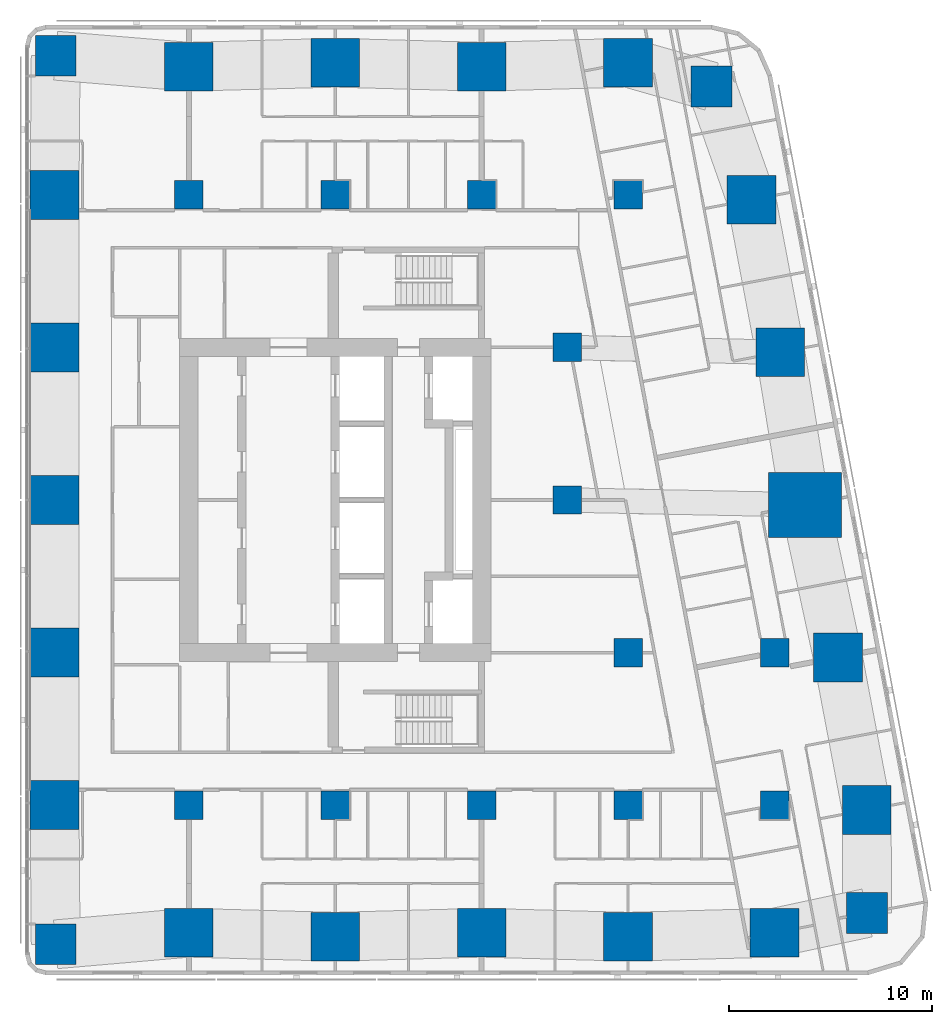
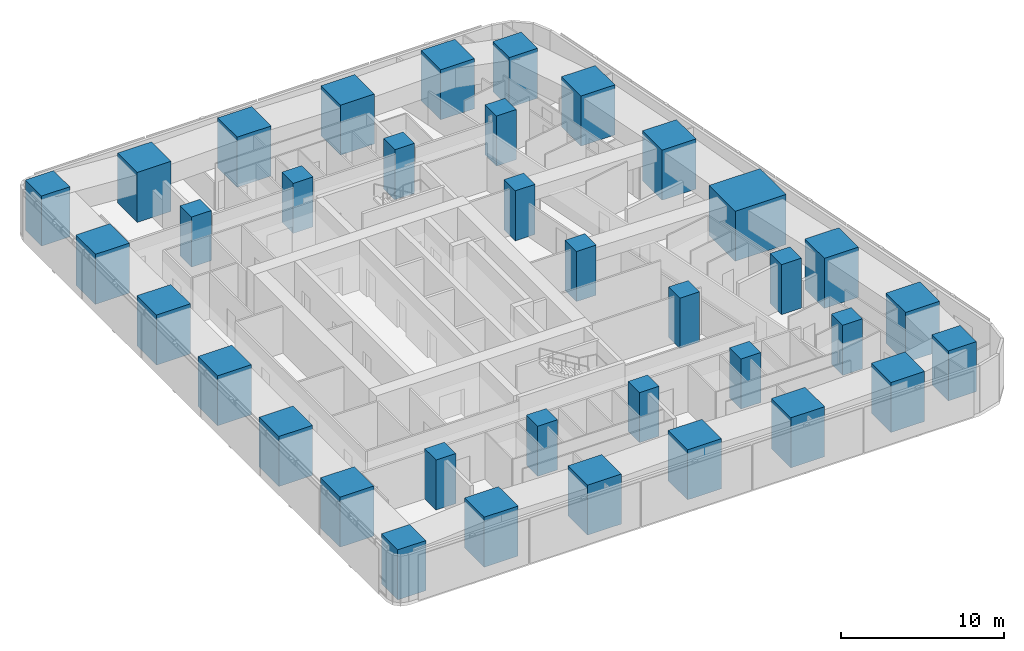
# One storey, part 1 of 19: 36 columns.
"""IFC4 building model written with IfcOpenShell, lengths in metres."""

from ifc_helpers import new_model, si_unit, direction, frame, origin, origin_2d, place, context, subcontext, project, spatial, rectangle, extrude, material, material_profile, profile_set, type_object, element, save


model = new_model("IFC4")

# Units and contexts
model_context = context("Model", 3, precision=1e-05, world=origin(), true_north=direction((0.0, 1.0)))
body_context = subcontext(model_context, "Body", "Model", "MODEL_VIEW")
ifc_project = project(units=[si_unit("LENGTHUNIT", "METRE"), si_unit("AREAUNIT", "SQUARE_METRE"), si_unit("VOLUMEUNIT", "CUBIC_METRE"), si_unit("PLANEANGLEUNIT", "RADIAN"), si_unit("MASSUNIT", "GRAM", prefix="KILO")], contexts=[model_context])

# Site, building, storey
site_placement = place(None, origin())
site = spatial("IfcSite", under=ifc_project, at=site_placement, CompositionType="ELEMENT")
building_placement = place(site_placement, origin())
building = spatial("IfcBuilding", under=site, at=building_placement, Name="Sheger Commons Tower", CompositionType="ELEMENT")
storey_placement = place(building_placement, frame((0.0, 0.0, 201.199951171875)))
storey = spatial("IfcBuildingStorey", under=building, at=storey_placement, Name="L51", CompositionType="ELEMENT", Elevation=201.199951171875)

# Columns
ifc_material_1 = material(Name="Concrete C50/60", Category="concrete")
ifc_material_profile_1 = material_profile(ifc_material_1, rectangle(XDim=3.60009765625, YDim=3.199951171875, at=origin_2d()), Name="RC 3600x3200")
ifc_profile_set_1 = profile_set([ifc_material_profile_1], Name="Concrete C50/60")
column_type_1 = type_object("IfcColumnType", Name="COLUMN PIER RC 3600x3200", PredefinedType="COLUMN", material=ifc_profile_set_1)
column_placement = place(storey_placement, frame((44.697021484375, 22.262939453125, 0.0), z_axis=(0.0, 0.0, 1.0), x_axis=(1.0, 0.0, 0.0)))
element("IfcColumn", 1, at=column_placement, inside=storey, type_object=column_type_1, Name="Pier 7/D+E/D L51", PredefinedType="COLUMN", context=body_context, shape_type="SweptSolid", body=[
    extrude(rectangle(XDim=3.60009765625, YDim=3.199951171875, at=origin_2d()), origin(), (0.0, 0.0, 1.0), 3.75),
])
ifc_material_2 = material(Name="Concrete C50/60", Category="concrete")
ifc_material_profile_2 = material_profile(ifc_material_2, rectangle(XDim=1.39990234375, YDim=1.39990234375, at=origin_2d()), Name="RC 1400x1400")
ifc_profile_set_2 = profile_set([ifc_material_profile_2], Name="Concrete C50/60")
column_type_2 = type_object("IfcColumnType", Name="COLUMN RC 1400x1400", PredefinedType="COLUMN", material=ifc_profile_set_2)
for number, where, z_axis, x_axis, name in (
    (2, (14.39990234375, 7.5, 0.0), (0.0, 0.0, 1.0), (1.0, 0.0, 0.0), "Column 3/B L51"),
    (3, (21.60009765625, 7.5, 0.0), (0.0, 0.0, 1.0), (1.0, 0.0, 0.0), "Column 4/B L51"),
    (4, (28.800048828125, 7.5, 0.0), (0.0, 0.0, 1.0), (1.0, 0.0, 0.0), "Column 5/B L51"),
    (5, (36.0, 7.5, 0.0), (0.0, 0.0, 1.0), (1.0, 0.0, 0.0), "Column 6/B L51"),
    (6, (43.199951171875, 7.5, 0.0), (0.0, 0.0, 1.0), (1.0, 0.0, 0.0), "Column 7/B L51"),
    (7, (36.0, 15.0, 0.0), (0.0, 0.0, 1.0), (1.0, 0.0, 0.0), "Column 6/C L51"),
    (8, (43.199951171875, 15.0, 0.0), (0.0, 0.0, 1.0), (1.0, 0.0, 0.0), "Column 7/C L51"),
    (9, (33.0, 22.5, 0.0), (0.0, 0.0, 1.0), (1.0, 0.0, 0.0), "Column 6-3000/D L51"),
    (10, (33.0, 30.0, 0.0), (0.0, 0.0, 1.0), (1.0, 0.0, 0.0), "Column 6-3000/E L51"),
    (11, (14.39990234375, 37.5, 0.0), (0.0, 0.0, 1.0), (1.0, 0.0, 0.0), "Column 3/F L51"),
    (12, (21.60009765625, 37.5, 0.0), (0.0, 0.0, 1.0), (1.0, 0.0, 0.0), "Column 4/F L51"),
    (13, (28.800048828125, 37.5, 0.0), (0.0, 0.0, 1.0), (1.0, 0.0, 0.0), "Column 5/F L51"),
    (14, (36.0, 37.5, 0.0), (0.0, 0.0, 1.0), (1.0, 0.0, 0.0), "Column 6/F L51"),
):
    element("IfcColumn", number, at=place(storey_placement, frame(where, z_axis=z_axis, x_axis=x_axis)), inside=storey, type_object=column_type_2, Name=name, PredefinedType="COLUMN", context=body_context, shape_type="SweptSolid", body=[
        extrude(rectangle(XDim=1.39990234375, YDim=1.39990234375, at=origin_2d()), origin(), (0.0, 0.0, 1.0), 3.75),
    ])
ifc_material_3 = material(Name="Concrete C50/60", Category="concrete")
ifc_material_profile_3 = material_profile(ifc_material_3, rectangle(XDim=2.0, YDim=2.0, at=origin_2d()), Name="RC 2000x2000")
ifc_profile_set_3 = profile_set([ifc_material_profile_3], Name="Concrete C50/60")
column_type_3 = type_object("IfcColumnType", Name="COLUMN RC 2000x2000", PredefinedType="COLUMN", material=ifc_profile_set_3)
for number, where, z_axis, x_axis, name in (
    (15, (7.85400390625, 0.654052734375, 0.0), (0.0, 0.0, 1.0), (1.0, 0.0, 0.0), "Column 2/A L51"),
    (16, (47.748046875, 2.197021484375, 0.0), (0.0, 0.0, 1.0), (1.0, 0.0, 0.0), "Column 49.461,0.778 L51"),
    (17, (40.10205078125, 42.830078125, 0.0), (0.0, 0.0, 1.0), (1.0, 0.0, 0.0), "Column 41.490,44.505 L51"),
    (18, (7.85400390625, 44.345947265625, 0.0), (0.0, 0.0, 1.0), (1.0, 0.0, 0.0), "Column 2/G L51"),
):
    element("IfcColumn", number, at=place(storey_placement, frame(where, z_axis=z_axis, x_axis=x_axis)), inside=storey, type_object=column_type_3, Name=name, PredefinedType="COLUMN", context=body_context, shape_type="SweptSolid", body=[
        extrude(rectangle(XDim=2.0, YDim=2.0, at=origin_2d()), origin(), (0.0, 0.0, 1.0), 3.75),
    ])
ifc_material_4 = material(Name="Concrete C50/60", Category="concrete")
ifc_material_profile_4 = material_profile(ifc_material_4, rectangle(XDim=2.39990234375, YDim=2.39990234375, at=origin_2d()), Name="RC 2400x2400")
ifc_profile_set_4 = profile_set([ifc_material_profile_4], Name="Concrete C50/60")
column_type_4 = type_object("IfcColumnType", Name="COLUMN RC 2400x2400", PredefinedType="COLUMN", material=ifc_profile_set_4)
for number, where, z_axis, x_axis, name in (
    (19, (14.39990234375, 1.22509765625, 0.0), (0.0, 0.0, 1.0), (1.0, 0.0, 0.0), "Column 3/A L51"),
    (20, (21.60009765625, 1.02490234375, 0.0), (0.0, 0.0, 1.0), (1.0, 0.0, 0.0), "Column 4/A L51"),
    (21, (28.800048828125, 1.22509765625, 0.0), (0.0, 0.0, 1.0), (1.0, 0.0, 0.0), "Column 5/A L51"),
    (22, (36.0, 1.02490234375, 0.0), (0.0, 0.0, 1.0), (1.0, 0.0, 0.0), "Column 6/A L51"),
    (23, (43.199951171875, 1.22509765625, 0.0), (0.0, 0.0, 1.0), (1.0, 0.0, 0.0), "Column 7/A L51"),
    (24, (7.800048828125, 7.5, 0.0), (0.0, 0.0, 1.0), (1.0, 0.0, 0.0), "Column 2/B L51"),
    (25, (47.72998046875, 7.262939453125, 0.0), (0.0, 0.0, 1.0), (1.0, 0.0, 0.0), "Column E/B L51"),
    (26, (7.800048828125, 15.0, 0.0), (0.0, 0.0, 1.0), (1.0, 0.0, 0.0), "Column 2/C L51"),
    (27, (46.31396484375, 14.762939453125, 0.0), (0.0, 0.0, 1.0), (1.0, 0.0, 0.0), "Column E/C L51"),
    (28, (7.800048828125, 22.5, 0.0), (0.0, 0.0, 1.0), (1.0, 0.0, 0.0), "Column 2/D L51"),
    (29, (7.800048828125, 30.0, 0.0), (0.0, 0.0, 1.0), (1.0, 0.0, 0.0), "Column 2/E L51"),
    (30, (43.47998046875, 29.762939453125, 0.0), (0.0, 0.0, 1.0), (1.0, 0.0, 0.0), "Column E/E L51"),
    (31, (7.800048828125, 37.5, 0.0), (0.0, 0.0, 1.0), (1.0, 0.0, 0.0), "Column 2/F L51"),
    (32, (42.06396484375, 37.262939453125, 0.0), (0.0, 0.0, 1.0), (1.0, 0.0, 0.0), "Column E/F L51"),
    (33, (14.39990234375, 43.800048828125, 0.0), (0.0, 0.0, 1.0), (1.0, 0.0, 0.0), "Column 3/G L51"),
    (34, (21.60009765625, 44.0, 0.0), (0.0, 0.0, 1.0), (1.0, 0.0, 0.0), "Column 4/G L51"),
    (35, (28.800048828125, 43.800048828125, 0.0), (0.0, 0.0, 1.0), (1.0, 0.0, 0.0), "Column 5/G L51"),
    (36, (36.0, 44.0, 0.0), (0.0, 0.0, 1.0), (1.0, 0.0, 0.0), "Column 6/G L51"),
):
    element("IfcColumn", number, at=place(storey_placement, frame(where, z_axis=z_axis, x_axis=x_axis)), inside=storey, type_object=column_type_4, Name=name, PredefinedType="COLUMN", context=body_context, shape_type="SweptSolid", body=[
        extrude(rectangle(XDim=2.39990234375, YDim=2.39990234375, at=origin_2d()), origin(), (0.0, 0.0, 1.0), 3.75),
    ])

save(model, "model.ifc")
